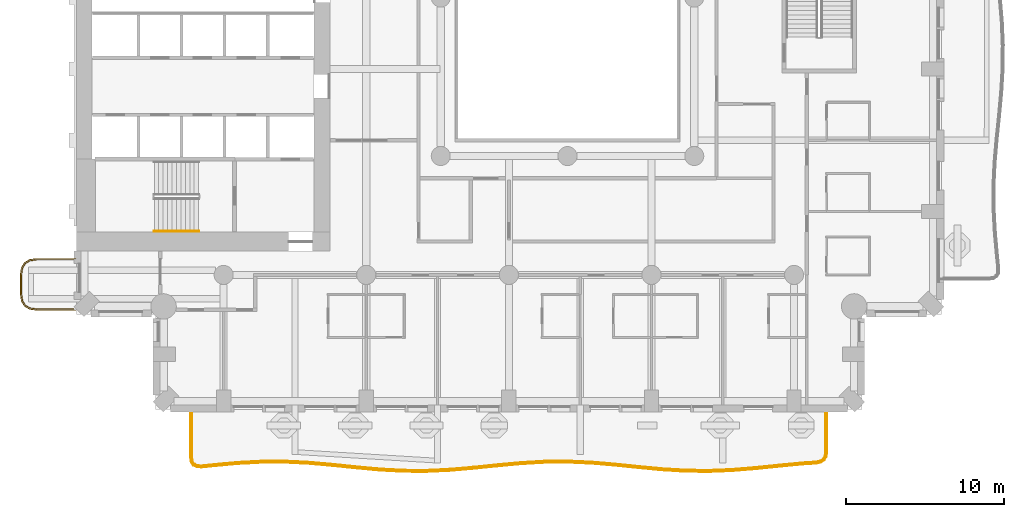
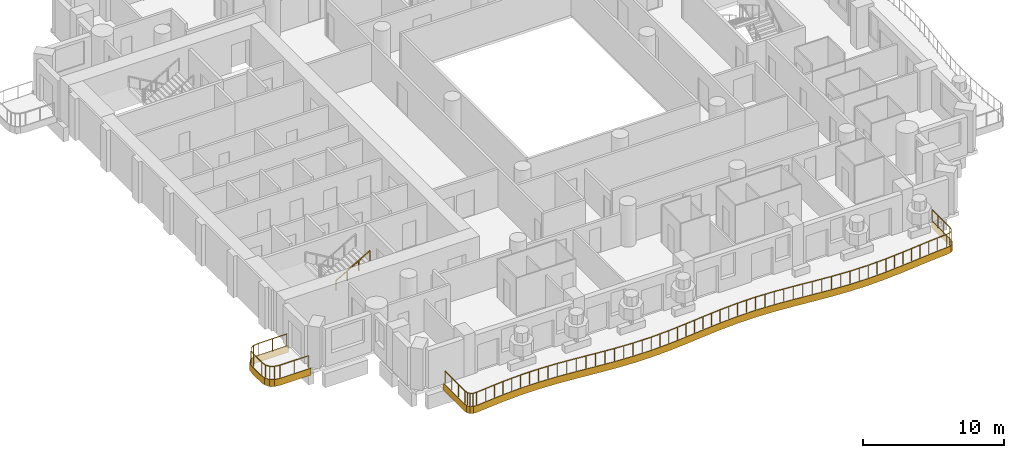
# One storey, part 13 of 20: 3 railings, 2 coverings.
"""IFC4 building model written with IfcOpenShell, lengths in metres."""

from ifc_helpers import new_model, si_unit, direction, frame, origin, origin_2d, place, context, subcontext, project, spatial, polyline, rectangle, outline, extrude, material, layer, layer_set, type_object, element, save


model = new_model("IFC4")

# Units and contexts
model_context = context("Model", 3, precision=1e-05, world=origin(), true_north=direction((0.0, 1.0)))
body_context = subcontext(model_context, "Body", "Model", "MODEL_VIEW")
ifc_project = project(units=[si_unit("LENGTHUNIT", "METRE"), si_unit("AREAUNIT", "SQUARE_METRE"), si_unit("VOLUMEUNIT", "CUBIC_METRE"), si_unit("PLANEANGLEUNIT", "RADIAN"), si_unit("MASSUNIT", "GRAM", prefix="KILO")], contexts=[model_context])

# Site, building, storey
site_placement = place(None, origin())
site = spatial("IfcSite", under=ifc_project, at=site_placement, CompositionType="ELEMENT")
building_placement = place(site_placement, origin())
building = spatial("IfcBuilding", under=site, at=building_placement, Name="Cypress Arch Tower", CompositionType="ELEMENT")
storey_placement = place(building_placement, frame((0.0, 0.0, 59.10009765625)))
storey = spatial("IfcBuildingStorey", under=building, at=storey_placement, Name="L08", CompositionType="ELEMENT", Elevation=59.10009765625)

# Coverings
ifc_material_1 = material(Name="White powder-coated aluminium fascia", Category="aluminium")
ifc_layer = layer(ifc_material_1, 0.050048828125)
ifc_layer_set = layer_set([ifc_layer], Name="Balcony fascia BF50")
covering_type = type_object("IfcCoveringType", Name="Balcony fascia BF50", PredefinedType="CLADDING", material=ifc_layer_set)
covering_1_placement = place(storey_placement, frame((0.0, 0.0, -0.60009765625)))
element("IfcCovering", 1, at=covering_1_placement, inside=storey, type_object=covering_type, Name="Balcony fascia L08-A00W1", PredefinedType="CLADDING", context=body_context, shape_type="SweptSolid", body=[
    extrude(outline(polyline([(-32.503662109375, -19.75), (-32.95458984375, -19.685546875), (-33.286376953125, -19.486328125), (-33.485595703125, -19.154541015625), (-33.550048828125, -18.70361328125), (-33.550048828125, -17.496337890625), (-33.485595703125, -17.04541015625), (-33.286376953125, -16.713623046875), (-32.95458984375, -16.514404296875), (-32.503662109375, -16.449951171875), (-30.0009765625, -16.449951171875), (-30.0009765625, -16.5), (-32.5, -16.5), (-32.9375, -16.5625), (-33.25, -16.75), (-33.4375, -17.0625), (-33.5, -17.5), (-33.5, -18.699951171875), (-33.4375, -19.137451171875), (-33.25, -19.449951171875), (-32.9375, -19.637451171875), (-32.5, -19.699951171875), (-30.0009765625, -19.699951171875), (-30.0009765625, -19.75), (-32.503662109375, -19.75)])), origin(), (0.0, 0.0, 1.0), 0.60009765625),
])
covering_2_placement = place(storey_placement, frame((0.0, 0.0, -0.60009765625)))
element("IfcCovering", 2, at=covering_2_placement, inside=storey, type_object=covering_type, Name="Balcony fascia L08-A03", PredefinedType="CLADDING", context=body_context, shape_type="SweptSolid", body=[
    extrude(outline(polyline([(17.39990234375, -28.65771484375), (17.3564453125, -28.96630859375), (17.220458984375, -29.2021484375), (16.99365234375, -29.352783203125), (16.688232421875, -29.416015625), (15.868896484375, -29.468017578125), (14.384521484375, -29.610107421875), (12.899169921875, -29.7626953125), (11.412353515625, -29.8857421875), (9.9248046875, -29.94677734375), (8.43701171875, -29.9296875), (6.949951171875, -29.8388671875), (5.463623046875, -29.698486328125), (3.978759765625, -29.545654296875), (2.494873046875, -29.419921875), (1.011962890625, -29.354736328125), (-0.470458984375, -29.3671875), (-1.95361328125, -29.45361328125), (-3.437744140625, -29.591796875), (-4.923095703125, -29.745361328125), (-6.40966796875, -29.873779296875), (-7.897216796875, -29.943359375), (-9.384765625, -29.935791015625), (-10.8720703125, -29.85302734375), (-12.358642578125, -29.716796875), (-13.84375, -29.563232421875), (-15.327392578125, -29.432373046875), (-16.810546875, -29.358642578125), (-18.29296875, -29.361572265625), (-19.776123046875, -29.43994140625), (-21.260009765625, -29.57373046875), (-22.080078125, -29.658447265625), (-22.38671875, -29.646240234375), (-22.61767578125, -29.531005859375), (-22.756103515625, -29.313232421875), (-22.800048828125, -29.00927734375), (-22.800048828125, -26.0009765625), (-22.75, -26.0009765625), (-22.75, -29.005859375), (-22.708251953125, -29.29541015625), (-22.5830078125, -29.492431640625), (-22.3740234375, -29.5966796875), (-22.081787109375, -29.6083984375), (-21.264892578125, -29.52392578125), (-19.779541015625, -29.39013671875), (-18.29443359375, -29.3115234375), (-16.809326171875, -29.30859375), (-15.323974609375, -29.382568359375), (-13.8388671875, -29.513427734375), (-12.353759765625, -29.6669921875), (-10.868408203125, -29.80322265625), (-9.38330078125, -29.8857421875), (-7.898193359375, -29.893310546875), (-6.412841796875, -29.82373046875), (-4.927734375, -29.695556640625), (-3.442626953125, -29.5419921875), (-1.95751953125, -29.40380859375), (-0.47216796875, -29.317138671875), (1.012939453125, -29.3046875), (2.498046875, -29.3701171875), (3.9833984375, -29.495849609375), (5.468505859375, -29.64892578125), (6.95361328125, -29.7890625), (8.43896484375, -29.879638671875), (9.924072265625, -29.896728515625), (11.4091796875, -29.835693359375), (12.89453125, -29.712890625), (14.379638671875, -29.560302734375), (15.86474609375, -29.418212890625), (16.681640625, -29.3662109375), (16.97412109375, -29.305908203125), (17.182861328125, -29.1669921875), (17.308349609375, -28.94970703125), (17.35009765625, -28.654052734375), (17.35009765625, -26.0009765625), (17.39990234375, -26.0009765625), (17.39990234375, -28.65771484375)])), origin(), (0.0, 0.0, 1.0), 0.60009765625),
])

# Railings
ifc_material_2 = material(Name="Powder-coated steel posts and rods, 100 mm clear between rods", Category="steel")
railing_type_1 = type_object("IfcRailingType", Name="Balcony guard GR1100", PredefinedType="GUARDRAIL", material=ifc_material_2)
railing_1_placement = place(storey_placement, frame((-30.14990234375, -19.64990234375, 0.0)))
element("IfcRailing", 3, at=railing_1_placement, inside=storey, type_object=railing_type_1, Name="Balcony guard L08-A00W1", PredefinedType="GUARDRAIL", context=body_context, shape_type="SweptSolid", body=[
    extrude(rectangle(XDim=0.050048828125, YDim=0.050048828125, at=origin_2d()), frame((0.0, 0.0, 1.0751953125), z_axis=(-1.0, 0.0, 0.0), x_axis=(0.0, -1.0, 0.0)), (0.0, 0.0, 1.0), 2.346435546875),
    extrude(rectangle(XDim=0.050048828125, YDim=0.050048828125, at=origin_2d()), frame((-2.346435546875, 0.0, 1.0751953125), z_axis=(-0.989960888959, 0.141341566184, 0.0), x_axis=(-0.141341566184, -0.989960888959, 0.0)), (0.0, 0.0, 1.0), 0.428466796875),
    extrude(rectangle(XDim=0.050048828125, YDim=0.050048828125, at=origin_2d()), frame((-2.7705078125, 0.060546875, 1.0751953125), z_axis=(-0.857681904839, 0.514180659021, 0.0), x_axis=(-0.514180659021, -0.857681904839, 0.0)), (0.0, 0.0, 1.0), 0.341796875),
    extrude(rectangle(XDim=0.050048828125, YDim=0.050048828125, at=origin_2d()), frame((-3.063720703125, 0.236328125, 1.0751953125), z_axis=(-0.514180659021, 0.857681904839, 0.0), x_axis=(-0.857681904839, -0.514180659021, 0.0)), (0.0, 0.0, 1.0), 0.341796875),
    extrude(rectangle(XDim=0.050048828125, YDim=0.050048828125, at=origin_2d()), frame((-3.239501953125, 0.529541015625, 1.0751953125), z_axis=(-0.141421356237, 0.989949493661, 0.0), x_axis=(-0.989949493661, -0.141421356237, 0.0)), (0.0, 0.0, 1.0), 0.42822265625),
    extrude(rectangle(XDim=0.050048828125, YDim=0.050048828125, at=origin_2d()), frame((-3.300048828125, 0.953369140625, 1.0751953125), z_axis=(0.0, 1.0, 0.0), x_axis=(-1.0, 0.0, 0.0)), (0.0, 0.0, 1.0), 1.19287109375),
    extrude(rectangle(XDim=0.050048828125, YDim=0.050048828125, at=origin_2d()), frame((-3.300048828125, 2.146240234375, 1.0751953125), z_axis=(0.141341566184, 0.989960888959, 0.0), x_axis=(-0.989960888959, 0.141341566184, 0.0)), (0.0, 0.0, 1.0), 0.428466796875),
    extrude(rectangle(XDim=0.050048828125, YDim=0.050048828125, at=origin_2d()), frame((-3.239501953125, 2.5703125, 1.0751953125), z_axis=(0.514180659021, 0.857681904839, 0.0), x_axis=(-0.857681904839, 0.514180659021, 0.0)), (0.0, 0.0, 1.0), 0.341796875),
    extrude(rectangle(XDim=0.050048828125, YDim=0.050048828125, at=origin_2d()), frame((-3.063720703125, 2.863525390625, 1.0751953125), z_axis=(0.857681904839, 0.514180659021, 0.0), x_axis=(-0.514180659021, 0.857681904839, 0.0)), (0.0, 0.0, 1.0), 0.341796875),
    extrude(rectangle(XDim=0.050048828125, YDim=0.050048828125, at=origin_2d()), frame((-2.7705078125, 3.039306640625, 1.0751953125), z_axis=(0.989960888959, 0.141341566184, 0.0), x_axis=(-0.141341566184, 0.989960888959, 0.0)), (0.0, 0.0, 1.0), 0.428466796875),
    extrude(rectangle(XDim=0.050048828125, YDim=0.050048828125, at=origin_2d()), frame((-2.346435546875, 3.099853515625, 1.0751953125), z_axis=(1.0, 0.0, 0.0), x_axis=(0.0, 1.0, 0.0)), (0.0, 0.0, 1.0), 2.346435546875),
    extrude(rectangle(XDim=0.0400390625, YDim=0.0400390625, at=origin_2d()), origin(), (0.0, 0.0, 1.0), 1.050048828125),
    extrude(rectangle(XDim=0.0400390625, YDim=0.0400390625, at=origin_2d()), frame((-1.17333984375, 0.0, 0.0)), (0.0, 0.0, 1.0), 1.050048828125),
    extrude(rectangle(XDim=0.0400390625, YDim=0.0400390625, at=origin_2d()), frame((-2.346435546875, 0.0, 0.0)), (0.0, 0.0, 1.0), 1.050048828125),
    extrude(rectangle(XDim=0.0400390625, YDim=0.0400390625, at=origin_2d()), frame((-2.7705078125, 0.060546875, 0.0)), (0.0, 0.0, 1.0), 1.050048828125),
    extrude(rectangle(XDim=0.0400390625, YDim=0.0400390625, at=origin_2d()), frame((-3.063720703125, 0.236328125, 0.0)), (0.0, 0.0, 1.0), 1.050048828125),
    extrude(rectangle(XDim=0.0400390625, YDim=0.0400390625, at=origin_2d()), frame((-3.239501953125, 0.529541015625, 0.0)), (0.0, 0.0, 1.0), 1.050048828125),
    extrude(rectangle(XDim=0.0400390625, YDim=0.0400390625, at=origin_2d()), frame((-3.300048828125, 0.953369140625, 0.0)), (0.0, 0.0, 1.0), 1.050048828125),
    extrude(rectangle(XDim=0.0400390625, YDim=0.0400390625, at=origin_2d()), frame((-3.300048828125, 2.146240234375, 0.0)), (0.0, 0.0, 1.0), 1.050048828125),
    extrude(rectangle(XDim=0.0400390625, YDim=0.0400390625, at=origin_2d()), frame((-3.239501953125, 2.5703125, 0.0)), (0.0, 0.0, 1.0), 1.050048828125),
    extrude(rectangle(XDim=0.0400390625, YDim=0.0400390625, at=origin_2d()), frame((-3.063720703125, 2.863525390625, 0.0)), (0.0, 0.0, 1.0), 1.050048828125),
    extrude(rectangle(XDim=0.0400390625, YDim=0.0400390625, at=origin_2d()), frame((-2.7705078125, 3.039306640625, 0.0)), (0.0, 0.0, 1.0), 1.050048828125),
    extrude(rectangle(XDim=0.0400390625, YDim=0.0400390625, at=origin_2d()), frame((-2.346435546875, 3.099853515625, 0.0)), (0.0, 0.0, 1.0), 1.050048828125),
    extrude(rectangle(XDim=0.0400390625, YDim=0.0400390625, at=origin_2d()), frame((-1.17333984375, 3.099853515625, 0.0)), (0.0, 0.0, 1.0), 1.050048828125),
    extrude(rectangle(XDim=0.0400390625, YDim=0.0400390625, at=origin_2d()), frame((0.0, 3.099853515625, 0.0)), (0.0, 0.0, 1.0), 1.050048828125),
])
railing_2_placement = place(storey_placement, frame((17.300048828125, -26.14990234375, 0.0)))
element("IfcRailing", 4, at=railing_2_placement, inside=storey, type_object=railing_type_1, Name="Balcony guard L08-A03", PredefinedType="GUARDRAIL", context=body_context, shape_type="SweptSolid", body=[
    extrude(rectangle(XDim=0.050048828125, YDim=0.050048828125, at=origin_2d()), frame((0.0, 0.0, 1.0751953125), z_axis=(0.0, -1.0, 0.0), x_axis=(1.0, 0.0, 0.0)), (0.0, 0.0, 1.0), 2.500732421875),
    extrude(rectangle(XDim=0.050048828125, YDim=0.050048828125, at=origin_2d()), frame((0.0, -2.500732421875, 1.0751953125), z_axis=(-0.140343027142, -0.990102941483, 0.0), x_axis=(0.990102941483, -0.140343027142, 0.0)), (0.0, 0.0, 1.0), 0.285400390625),
    extrude(rectangle(XDim=0.050048828125, YDim=0.050048828125, at=origin_2d()), frame((-0.0400390625, -2.783203125, 1.0751953125), z_axis=(-0.499230902886, -0.866468987099, 0.0), x_axis=(0.866468987099, -0.499230902886, 0.0)), (0.0, 0.0, 1.0), 0.229248046875),
    extrude(rectangle(XDim=0.050048828125, YDim=0.050048828125, at=origin_2d()), frame((-0.154541015625, -2.98193359375, 1.0751953125), z_axis=(-0.83303104875, -0.553226239272, 0.0), x_axis=(0.553226239272, -0.83303104875, 0.0)), (0.0, 0.0, 1.0), 0.2294921875),
    extrude(rectangle(XDim=0.050048828125, YDim=0.050048828125, at=origin_2d()), frame((-0.345703125, -3.10888671875, 1.0751953125), z_axis=(-0.97920768245, -0.202860332815, 0.0), x_axis=(0.202860332815, -0.97920768245, 0.0)), (0.0, 0.0, 1.0), 0.28515625),
    extrude(rectangle(XDim=0.050048828125, YDim=0.050048828125, at=origin_2d()), frame((-0.625, -3.166748046875, 1.0751953125), z_axis=(-0.997985643799, -0.063440166862, 0.0), x_axis=(0.063440166862, -0.997985643799, 0.0)), (0.0, 0.0, 1.0), 0.81591796875),
    extrude(rectangle(XDim=0.050048828125, YDim=0.050048828125, at=origin_2d()), frame((-1.439208984375, -3.218505859375, 1.0751953125), z_axis=(-0.995460123409, -0.095179528803, 0.0), x_axis=(0.095179528803, -0.995460123409, 0.0)), (0.0, 0.0, 1.0), 1.492919921875),
    extrude(rectangle(XDim=0.050048828125, YDim=0.050048828125, at=origin_2d()), frame((-2.92529296875, -3.360595703125, 1.0751953125), z_axis=(-0.994761413661, -0.102223920345, 0.0), x_axis=(0.102223920345, -0.994761413661, 0.0)), (0.0, 0.0, 1.0), 1.49267578125),
    extrude(rectangle(XDim=0.050048828125, YDim=0.050048828125, at=origin_2d()), frame((-4.41015625, -3.51318359375, 1.0751953125), z_axis=(-0.996591973628, -0.082489018057, 0.0), x_axis=(0.082489018057, -0.996591973628, 0.0)), (0.0, 0.0, 1.0), 1.48876953125),
    extrude(rectangle(XDim=0.050048828125, YDim=0.050048828125, at=origin_2d()), frame((-5.893798828125, -3.635986328125, 1.0751953125), z_axis=(-0.999160787088, -0.040959999339, 0.0), x_axis=(0.040959999339, -0.999160787088, 0.0)), (0.0, 0.0, 1.0), 1.484130859375),
    extrude(rectangle(XDim=0.050048828125, YDim=0.050048828125, at=origin_2d()), frame((-7.376708984375, -3.69677734375, 1.0751953125), z_axis=(-0.999933577342, 0.011525662838, 0.0), x_axis=(-0.011525662838, -0.999933577342, 0.0)), (0.0, 0.0, 1.0), 1.482666015625),
    extrude(rectangle(XDim=0.050048828125, YDim=0.050048828125, at=origin_2d()), frame((-8.859375, -3.6796875, 1.0751953125), z_axis=(-0.998150413324, 0.060792700071, 0.0), x_axis=(-0.060792700071, -0.998150413324, 0.0)), (0.0, 0.0, 1.0), 1.48583984375),
    extrude(rectangle(XDim=0.050048828125, YDim=0.050048828125, at=origin_2d()), frame((-10.342529296875, -3.58935546875, 1.0751953125), z_axis=(-0.995571697848, 0.09400528945, 0.0), x_axis=(-0.09400528945, -0.995571697848, 0.0)), (0.0, 0.0, 1.0), 1.49072265625),
    extrude(rectangle(XDim=0.050048828125, YDim=0.050048828125, at=origin_2d()), frame((-11.82666015625, -3.44921875, 1.0751953125), z_axis=(-0.994731536319, 0.1025142461, 0.0), x_axis=(-0.1025142461, -0.994731536319, 0.0)), (0.0, 0.0, 1.0), 1.4931640625),
    extrude(rectangle(XDim=0.050048828125, YDim=0.050048828125, at=origin_2d()), frame((-13.31201171875, -3.296142578125, 1.0751953125), z_axis=(-0.99642853827, 0.084440322836, 0.0), x_axis=(-0.084440322836, -0.99642853827, 0.0)), (0.0, 0.0, 1.0), 1.491943359375),
    extrude(rectangle(XDim=0.050048828125, YDim=0.050048828125, at=origin_2d()), frame((-14.798583984375, -3.170166015625, 1.0751953125), z_axis=(-0.999041250277, 0.043778764783, 0.0), x_axis=(-0.043778764783, -0.999041250277, 0.0)), (0.0, 0.0, 1.0), 1.489013671875),
    extrude(rectangle(XDim=0.050048828125, YDim=0.050048828125, at=origin_2d()), frame((-16.2861328125, -3.10498046875, 1.0751953125), z_axis=(-0.999966342397, -0.008204515445, 0.0), x_axis=(0.008204515445, -0.999966342397, 0.0)), (0.0, 0.0, 1.0), 1.48779296875),
    extrude(rectangle(XDim=0.050048828125, YDim=0.050048828125, at=origin_2d()), frame((-17.77392578125, -3.1171875, 1.0751953125), z_axis=(-0.998296902003, -0.058337770373, 0.0), x_axis=(0.058337770373, -0.998296902003, 0.0)), (0.0, 0.0, 1.0), 1.48974609375),
    extrude(rectangle(XDim=0.050048828125, YDim=0.050048828125, at=origin_2d()), frame((-19.26123046875, -3.2041015625, 1.0751953125), z_axis=(-0.995706125545, -0.092570576061, 0.0), x_axis=(0.092570576061, -0.995706125545, 0.0)), (0.0, 0.0, 1.0), 1.49267578125),
    extrude(rectangle(XDim=0.050048828125, YDim=0.050048828125, at=origin_2d()), frame((-20.74755859375, -3.34228515625, 1.0751953125), z_axis=(-0.99469640988, -0.10285451945, 0.0), x_axis=(0.10285451945, -0.99469640988, 0.0)), (0.0, 0.0, 1.0), 1.492919921875),
    extrude(rectangle(XDim=0.050048828125, YDim=0.050048828125, at=origin_2d()), frame((-22.232666015625, -3.495849609375, 1.0751953125), z_axis=(-0.996289030279, -0.086070715961, 0.0), x_axis=(0.086070715961, -0.996289030279, 0.0)), (0.0, 0.0, 1.0), 1.4892578125),
    extrude(rectangle(XDim=0.050048828125, YDim=0.050048828125, at=origin_2d()), frame((-23.71630859375, -3.6240234375, 1.0751953125), z_axis=(-0.998901009946, -0.046869737872, 0.0), x_axis=(0.046869737872, -0.998901009946, 0.0)), (0.0, 0.0, 1.0), 1.484619140625),
    extrude(rectangle(XDim=0.050048828125, YDim=0.050048828125, at=origin_2d()), frame((-25.19921875, -3.693603515625, 1.0751953125), z_axis=(-0.999986971982, 0.00510449467, 0.0), x_axis=(-0.00510449467, -0.999986971982, 0.0)), (0.0, 0.0, 1.0), 1.482666015625),
    extrude(rectangle(XDim=0.050048828125, YDim=0.050048828125, at=origin_2d()), frame((-26.681884765625, -3.68603515625, 1.0751953125), z_axis=(-0.998455291152, 0.055561061641, 0.0), x_axis=(-0.055561061641, -0.998455291152, 0.0)), (0.0, 0.0, 1.0), 1.485107421875),
    extrude(rectangle(XDim=0.050048828125, YDim=0.050048828125, at=origin_2d()), frame((-28.164794921875, -3.603515625, 1.0751953125), z_axis=(-0.995828502497, 0.091244690885, 0.0), x_axis=(-0.091244690885, -0.995828502497, 0.0)), (0.0, 0.0, 1.0), 1.490234375),
    extrude(rectangle(XDim=0.050048828125, YDim=0.050048828125, at=origin_2d()), frame((-29.64892578125, -3.467529296875, 1.0751953125), z_axis=(-0.99468140225, 0.102999553487, 0.0), x_axis=(-0.102999553487, -0.99468140225, 0.0)), (0.0, 0.0, 1.0), 1.493408203125),
    extrude(rectangle(XDim=0.050048828125, YDim=0.050048828125, at=origin_2d()), frame((-31.13427734375, -3.313720703125, 1.0751953125), z_axis=(-0.996132377683, 0.087865158807, 0.0), x_axis=(-0.087865158807, -0.996132377683, 0.0)), (0.0, 0.0, 1.0), 1.4921875),
    extrude(rectangle(XDim=0.050048828125, YDim=0.050048828125, at=origin_2d()), frame((-32.62060546875, -3.1826171875, 1.0751953125), z_axis=(-0.998773910322, 0.049504303449, 0.0), x_axis=(-0.049504303449, -0.998773910322, 0.0)), (0.0, 0.0, 1.0), 1.4892578125),
    extrude(rectangle(XDim=0.050048828125, YDim=0.050048828125, at=origin_2d()), frame((-34.108154296875, -3.10888671875, 1.0751953125), z_axis=(-0.999998370894, -0.001805051211, 0.0), x_axis=(0.001805051211, -0.999998370894, 0.0)), (0.0, 0.0, 1.0), 1.48779296875),
    extrude(rectangle(XDim=0.050048828125, YDim=0.050048828125, at=origin_2d()), frame((-35.595947265625, -3.111572265625, 1.0751953125), z_axis=(-0.998606030955, -0.052782524945, 0.0), x_axis=(0.052782524945, -0.998606030955, 0.0)), (0.0, 0.0, 1.0), 1.489501953125),
    extrude(rectangle(XDim=0.050048828125, YDim=0.050048828125, at=origin_2d()), frame((-37.083251953125, -3.190185546875, 1.0751953125), z_axis=(-0.995958649878, -0.089812959721, 0.0), x_axis=(0.089812959721, -0.995958649878, 0.0)), (0.0, 0.0, 1.0), 1.492431640625),
    extrude(rectangle(XDim=0.050048828125, YDim=0.050048828125, at=origin_2d()), frame((-38.569580078125, -3.32421875, 1.0751953125), z_axis=(-0.99468547214, -0.102960242391, 0.0), x_axis=(0.102960242391, -0.99468547214, 0.0)), (0.0, 0.0, 1.0), 0.818115234375),
    extrude(rectangle(XDim=0.050048828125, YDim=0.050048828125, at=origin_2d()), frame((-39.38330078125, -3.408447265625, 1.0751953125), z_axis=(-0.999185469505, 0.040353407899, 0.0), x_axis=(-0.040353407899, -0.999185469505, 0.0)), (0.0, 0.0, 1.0), 0.2783203125),
    extrude(rectangle(XDim=0.050048828125, YDim=0.050048828125, at=origin_2d()), frame((-39.661376953125, -3.397216796875, 1.0751953125), z_axis=(-0.89466096696, 0.44674573775, 0.0), x_axis=(-0.44674573775, -0.89466096696, 0.0)), (0.0, 0.0, 1.0), 0.208740234375),
    extrude(rectangle(XDim=0.050048828125, YDim=0.050048828125, at=origin_2d()), frame((-39.84814453125, -3.303955078125, 1.0751953125), z_axis=(-0.536497284338, 0.843902046388, 0.0), x_axis=(-0.843902046388, -0.536497284338, 0.0)), (0.0, 0.0, 1.0), 0.208984375),
    extrude(rectangle(XDim=0.050048828125, YDim=0.050048828125, at=origin_2d()), frame((-39.960205078125, -3.127685546875, 1.0751953125), z_axis=(-0.143018061021, 0.98972007872, 0.0), x_axis=(-0.98972007872, -0.143018061021, 0.0)), (0.0, 0.0, 1.0), 0.2783203125),
    extrude(rectangle(XDim=0.050048828125, YDim=0.050048828125, at=origin_2d()), frame((-40.0, -2.852294921875, 1.0751953125), z_axis=(0.0, 1.0, 0.0), x_axis=(-1.0, 0.0, 0.0)), (0.0, 0.0, 1.0), 2.852294921875),
    extrude(rectangle(XDim=0.0400390625, YDim=0.0400390625, at=origin_2d()), origin(), (0.0, 0.0, 1.0), 1.050048828125),
    extrude(rectangle(XDim=0.0400390625, YDim=0.0400390625, at=origin_2d()), frame((0.0, -0.83349609375, 0.0)), (0.0, 0.0, 1.0), 1.050048828125),
    extrude(rectangle(XDim=0.0400390625, YDim=0.0400390625, at=origin_2d()), frame((0.0, -1.667236328125, 0.0)), (0.0, 0.0, 1.0), 1.050048828125),
    extrude(rectangle(XDim=0.0400390625, YDim=0.0400390625, at=origin_2d()), frame((0.0, -2.500732421875, 0.0)), (0.0, 0.0, 1.0), 1.050048828125),
    extrude(rectangle(XDim=0.0400390625, YDim=0.0400390625, at=origin_2d()), frame((-0.0400390625, -2.783203125, 0.0)), (0.0, 0.0, 1.0), 1.050048828125),
    extrude(rectangle(XDim=0.0400390625, YDim=0.0400390625, at=origin_2d()), frame((-0.154541015625, -2.98193359375, 0.0)), (0.0, 0.0, 1.0), 1.050048828125),
    extrude(rectangle(XDim=0.0400390625, YDim=0.0400390625, at=origin_2d()), frame((-0.345703125, -3.10888671875, 0.0)), (0.0, 0.0, 1.0), 1.050048828125),
    extrude(rectangle(XDim=0.0400390625, YDim=0.0400390625, at=origin_2d()), frame((-0.625, -3.166748046875, 0.0)), (0.0, 0.0, 1.0), 1.050048828125),
    extrude(rectangle(XDim=0.0400390625, YDim=0.0400390625, at=origin_2d()), frame((-1.439208984375, -3.218505859375, 0.0)), (0.0, 0.0, 1.0), 1.050048828125),
    extrude(rectangle(XDim=0.0400390625, YDim=0.0400390625, at=origin_2d()), frame((-2.18212890625, -3.28955078125, 0.0)), (0.0, 0.0, 1.0), 1.050048828125),
    extrude(rectangle(XDim=0.0400390625, YDim=0.0400390625, at=origin_2d()), frame((-2.92529296875, -3.360595703125, 0.0)), (0.0, 0.0, 1.0), 1.050048828125),
    extrude(rectangle(XDim=0.0400390625, YDim=0.0400390625, at=origin_2d()), frame((-3.667724609375, -3.43701171875, 0.0)), (0.0, 0.0, 1.0), 1.050048828125),
    extrude(rectangle(XDim=0.0400390625, YDim=0.0400390625, at=origin_2d()), frame((-4.41015625, -3.51318359375, 0.0)), (0.0, 0.0, 1.0), 1.050048828125),
    extrude(rectangle(XDim=0.0400390625, YDim=0.0400390625, at=origin_2d()), frame((-5.15185546875, -3.57470703125, 0.0)), (0.0, 0.0, 1.0), 1.050048828125),
    extrude(rectangle(XDim=0.0400390625, YDim=0.0400390625, at=origin_2d()), frame((-5.893798828125, -3.635986328125, 0.0)), (0.0, 0.0, 1.0), 1.050048828125),
    extrude(rectangle(XDim=0.0400390625, YDim=0.0400390625, at=origin_2d()), frame((-6.63525390625, -3.66650390625, 0.0)), (0.0, 0.0, 1.0), 1.050048828125),
    extrude(rectangle(XDim=0.0400390625, YDim=0.0400390625, at=origin_2d()), frame((-7.376708984375, -3.69677734375, 0.0)), (0.0, 0.0, 1.0), 1.050048828125),
    extrude(rectangle(XDim=0.0400390625, YDim=0.0400390625, at=origin_2d()), frame((-8.1181640625, -3.688232421875, 0.0)), (0.0, 0.0, 1.0), 1.050048828125),
    extrude(rectangle(XDim=0.0400390625, YDim=0.0400390625, at=origin_2d()), frame((-8.859375, -3.6796875, 0.0)), (0.0, 0.0, 1.0), 1.050048828125),
    extrude(rectangle(XDim=0.0400390625, YDim=0.0400390625, at=origin_2d()), frame((-9.60107421875, -3.634521484375, 0.0)), (0.0, 0.0, 1.0), 1.050048828125),
    extrude(rectangle(XDim=0.0400390625, YDim=0.0400390625, at=origin_2d()), frame((-10.342529296875, -3.58935546875, 0.0)), (0.0, 0.0, 1.0), 1.050048828125),
    extrude(rectangle(XDim=0.0400390625, YDim=0.0400390625, at=origin_2d()), frame((-11.08447265625, -3.519287109375, 0.0)), (0.0, 0.0, 1.0), 1.050048828125),
    extrude(rectangle(XDim=0.0400390625, YDim=0.0400390625, at=origin_2d()), frame((-11.82666015625, -3.44921875, 0.0)), (0.0, 0.0, 1.0), 1.050048828125),
    extrude(rectangle(XDim=0.0400390625, YDim=0.0400390625, at=origin_2d()), frame((-12.5693359375, -3.37255859375, 0.0)), (0.0, 0.0, 1.0), 1.050048828125),
    extrude(rectangle(XDim=0.0400390625, YDim=0.0400390625, at=origin_2d()), frame((-13.31201171875, -3.296142578125, 0.0)), (0.0, 0.0, 1.0), 1.050048828125),
    extrude(rectangle(XDim=0.0400390625, YDim=0.0400390625, at=origin_2d()), frame((-14.05517578125, -3.233154296875, 0.0)), (0.0, 0.0, 1.0), 1.050048828125),
    extrude(rectangle(XDim=0.0400390625, YDim=0.0400390625, at=origin_2d()), frame((-14.798583984375, -3.170166015625, 0.0)), (0.0, 0.0, 1.0), 1.050048828125),
    extrude(rectangle(XDim=0.0400390625, YDim=0.0400390625, at=origin_2d()), frame((-15.54248046875, -3.1376953125, 0.0)), (0.0, 0.0, 1.0), 1.050048828125),
    extrude(rectangle(XDim=0.0400390625, YDim=0.0400390625, at=origin_2d()), frame((-16.2861328125, -3.10498046875, 0.0)), (0.0, 0.0, 1.0), 1.050048828125),
    extrude(rectangle(XDim=0.0400390625, YDim=0.0400390625, at=origin_2d()), frame((-17.030029296875, -3.111083984375, 0.0)), (0.0, 0.0, 1.0), 1.050048828125),
    extrude(rectangle(XDim=0.0400390625, YDim=0.0400390625, at=origin_2d()), frame((-17.77392578125, -3.1171875, 0.0)), (0.0, 0.0, 1.0), 1.050048828125),
    extrude(rectangle(XDim=0.0400390625, YDim=0.0400390625, at=origin_2d()), frame((-18.517578125, -3.16064453125, 0.0)), (0.0, 0.0, 1.0), 1.050048828125),
    extrude(rectangle(XDim=0.0400390625, YDim=0.0400390625, at=origin_2d()), frame((-19.26123046875, -3.2041015625, 0.0)), (0.0, 0.0, 1.0), 1.050048828125),
    extrude(rectangle(XDim=0.0400390625, YDim=0.0400390625, at=origin_2d()), frame((-20.00439453125, -3.273193359375, 0.0)), (0.0, 0.0, 1.0), 1.050048828125),
    extrude(rectangle(XDim=0.0400390625, YDim=0.0400390625, at=origin_2d()), frame((-20.74755859375, -3.34228515625, 0.0)), (0.0, 0.0, 1.0), 1.050048828125),
    extrude(rectangle(XDim=0.0400390625, YDim=0.0400390625, at=origin_2d()), frame((-21.490234375, -3.4189453125, 0.0)), (0.0, 0.0, 1.0), 1.050048828125),
    extrude(rectangle(XDim=0.0400390625, YDim=0.0400390625, at=origin_2d()), frame((-22.232666015625, -3.495849609375, 0.0)), (0.0, 0.0, 1.0), 1.050048828125),
    extrude(rectangle(XDim=0.0400390625, YDim=0.0400390625, at=origin_2d()), frame((-22.974609375, -3.56005859375, 0.0)), (0.0, 0.0, 1.0), 1.050048828125),
    extrude(rectangle(XDim=0.0400390625, YDim=0.0400390625, at=origin_2d()), frame((-23.71630859375, -3.6240234375, 0.0)), (0.0, 0.0, 1.0), 1.050048828125),
    extrude(rectangle(XDim=0.0400390625, YDim=0.0400390625, at=origin_2d()), frame((-24.457763671875, -3.65869140625, 0.0)), (0.0, 0.0, 1.0), 1.050048828125),
    extrude(rectangle(XDim=0.0400390625, YDim=0.0400390625, at=origin_2d()), frame((-25.19921875, -3.693603515625, 0.0)), (0.0, 0.0, 1.0), 1.050048828125),
    extrude(rectangle(XDim=0.0400390625, YDim=0.0400390625, at=origin_2d()), frame((-25.9404296875, -3.68994140625, 0.0)), (0.0, 0.0, 1.0), 1.050048828125),
    extrude(rectangle(XDim=0.0400390625, YDim=0.0400390625, at=origin_2d()), frame((-26.681884765625, -3.68603515625, 0.0)), (0.0, 0.0, 1.0), 1.050048828125),
    extrude(rectangle(XDim=0.0400390625, YDim=0.0400390625, at=origin_2d()), frame((-27.42333984375, -3.644775390625, 0.0)), (0.0, 0.0, 1.0), 1.050048828125),
    extrude(rectangle(XDim=0.0400390625, YDim=0.0400390625, at=origin_2d()), frame((-28.164794921875, -3.603515625, 0.0)), (0.0, 0.0, 1.0), 1.050048828125),
    extrude(rectangle(XDim=0.0400390625, YDim=0.0400390625, at=origin_2d()), frame((-28.90673828125, -3.53564453125, 0.0)), (0.0, 0.0, 1.0), 1.050048828125),
    extrude(rectangle(XDim=0.0400390625, YDim=0.0400390625, at=origin_2d()), frame((-29.64892578125, -3.467529296875, 0.0)), (0.0, 0.0, 1.0), 1.050048828125),
    extrude(rectangle(XDim=0.0400390625, YDim=0.0400390625, at=origin_2d()), frame((-30.3916015625, -3.390625, 0.0)), (0.0, 0.0, 1.0), 1.050048828125),
    extrude(rectangle(XDim=0.0400390625, YDim=0.0400390625, at=origin_2d()), frame((-31.13427734375, -3.313720703125, 0.0)), (0.0, 0.0, 1.0), 1.050048828125),
    extrude(rectangle(XDim=0.0400390625, YDim=0.0400390625, at=origin_2d()), frame((-31.87744140625, -3.248046875, 0.0)), (0.0, 0.0, 1.0), 1.050048828125),
    extrude(rectangle(XDim=0.0400390625, YDim=0.0400390625, at=origin_2d()), frame((-32.62060546875, -3.1826171875, 0.0)), (0.0, 0.0, 1.0), 1.050048828125),
    extrude(rectangle(XDim=0.0400390625, YDim=0.0400390625, at=origin_2d()), frame((-33.3642578125, -3.145751953125, 0.0)), (0.0, 0.0, 1.0), 1.050048828125),
    extrude(rectangle(XDim=0.0400390625, YDim=0.0400390625, at=origin_2d()), frame((-34.108154296875, -3.10888671875, 0.0)), (0.0, 0.0, 1.0), 1.050048828125),
    extrude(rectangle(XDim=0.0400390625, YDim=0.0400390625, at=origin_2d()), frame((-34.85205078125, -3.1103515625, 0.0)), (0.0, 0.0, 1.0), 1.050048828125),
    extrude(rectangle(XDim=0.0400390625, YDim=0.0400390625, at=origin_2d()), frame((-35.595947265625, -3.111572265625, 0.0)), (0.0, 0.0, 1.0), 1.050048828125),
    extrude(rectangle(XDim=0.0400390625, YDim=0.0400390625, at=origin_2d()), frame((-36.339599609375, -3.15087890625, 0.0)), (0.0, 0.0, 1.0), 1.050048828125),
    extrude(rectangle(XDim=0.0400390625, YDim=0.0400390625, at=origin_2d()), frame((-37.083251953125, -3.190185546875, 0.0)), (0.0, 0.0, 1.0), 1.050048828125),
    extrude(rectangle(XDim=0.0400390625, YDim=0.0400390625, at=origin_2d()), frame((-37.826416015625, -3.25732421875, 0.0)), (0.0, 0.0, 1.0), 1.050048828125),
    extrude(rectangle(XDim=0.0400390625, YDim=0.0400390625, at=origin_2d()), frame((-38.569580078125, -3.32421875, 0.0)), (0.0, 0.0, 1.0), 1.050048828125),
    extrude(rectangle(XDim=0.0400390625, YDim=0.0400390625, at=origin_2d()), frame((-39.38330078125, -3.408447265625, 0.0)), (0.0, 0.0, 1.0), 1.050048828125),
    extrude(rectangle(XDim=0.0400390625, YDim=0.0400390625, at=origin_2d()), frame((-39.661376953125, -3.397216796875, 0.0)), (0.0, 0.0, 1.0), 1.050048828125),
    extrude(rectangle(XDim=0.0400390625, YDim=0.0400390625, at=origin_2d()), frame((-39.84814453125, -3.303955078125, 0.0)), (0.0, 0.0, 1.0), 1.050048828125),
    extrude(rectangle(XDim=0.0400390625, YDim=0.0400390625, at=origin_2d()), frame((-39.960205078125, -3.127685546875, 0.0)), (0.0, 0.0, 1.0), 1.050048828125),
    extrude(rectangle(XDim=0.0400390625, YDim=0.0400390625, at=origin_2d()), frame((-40.0, -2.852294921875, 0.0)), (0.0, 0.0, 1.0), 1.050048828125),
    extrude(rectangle(XDim=0.0400390625, YDim=0.0400390625, at=origin_2d()), frame((-40.0, -1.901611328125, 0.0)), (0.0, 0.0, 1.0), 1.050048828125),
    extrude(rectangle(XDim=0.0400390625, YDim=0.0400390625, at=origin_2d()), frame((-40.0, -0.95068359375, 0.0)), (0.0, 0.0, 1.0), 1.050048828125),
    extrude(rectangle(XDim=0.0400390625, YDim=0.0400390625, at=origin_2d()), frame((-40.0, 0.0, 0.0)), (0.0, 0.0, 1.0), 1.050048828125),
])
ifc_material_3 = material(Name="Black powder-coated steel square bar 48 mm", Category="steel")
railing_type_2 = type_object("IfcRailingType", Name="Stair handrail HR1", PredefinedType="HANDRAIL", material=ifc_material_3)
railing_3_placement = place(storey_placement, frame((-25.074951171875, -14.75, 1.963623046875)))
element("IfcRailing", 5, at=railing_3_placement, inside=storey, type_object=railing_type_2, Name="L08 A stair handrail 2", PredefinedType="HANDRAIL", context=body_context, shape_type="SweptSolid", body=[
    extrude(rectangle(XDim=0.048095703125, YDim=0.048095703125, at=origin_2d()), frame((0.0, 0.0, 0.8759765625), z_axis=(0.863393664356, 0.0, 0.504530851732), x_axis=(0.0, 1.0, 0.0)), (0.0, 0.0, 1.0), 3.2431640625),
    extrude(rectangle(XDim=0.0419921875, YDim=0.0419921875, at=origin_2d()), origin(), (0.0, 0.0, 1.0), 0.851806640625),
    extrude(rectangle(XDim=0.0419921875, YDim=0.0419921875, at=origin_2d()), frame((0.933349609375, 0.0, 0.54541015625)), (0.0, 0.0, 1.0), 0.851806640625),
    extrude(rectangle(XDim=0.0419921875, YDim=0.0419921875, at=origin_2d()), frame((1.86669921875, 0.0, 1.0908203125)), (0.0, 0.0, 1.0), 0.851806640625),
    extrude(rectangle(XDim=0.0419921875, YDim=0.0419921875, at=origin_2d()), frame((2.800048828125, 0.0, 1.63623046875)), (0.0, 0.0, 1.0), 0.851806640625),
])

save(model, "model.ifc")
